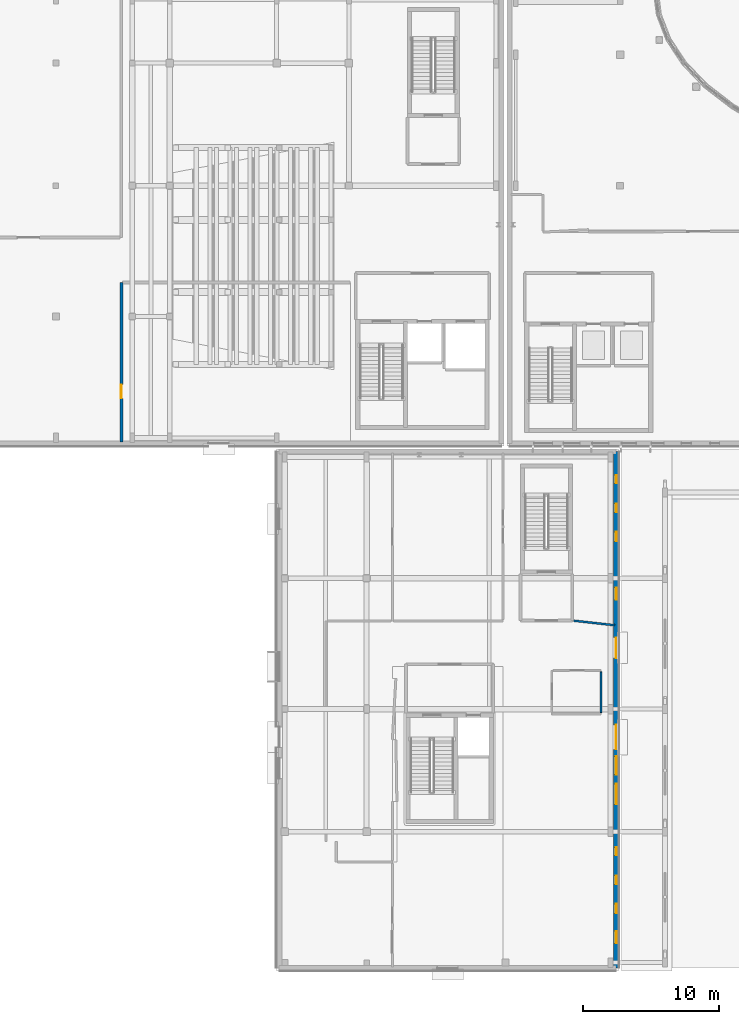
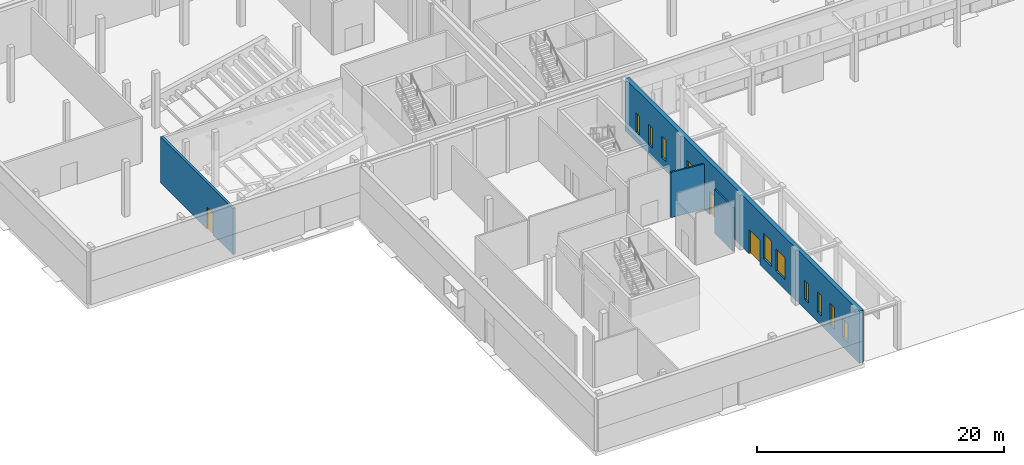
# One storey, part 39 of 84: 10 windows, 4 walls, 3 doors, 13 openings.
"""IFC4 building model written with IfcOpenShell, lengths in metres."""

from ifc_helpers import new_model, si_unit, direction, frame, frame_2d, origin, place, context, subcontext, project, spatial, rectangle, extrude, material, layer, layer_set, type_object, element, fill, save


model = new_model("IFC4")

# Units and contexts
model_context = context("Model", 3, precision=1e-05, world=origin(), true_north=direction((0.0, 1.0)))
body_context = subcontext(model_context, "Body", "Model", "MODEL_VIEW")
ifc_project = project(units=[si_unit("LENGTHUNIT", "METRE"), si_unit("AREAUNIT", "SQUARE_METRE"), si_unit("VOLUMEUNIT", "CUBIC_METRE"), si_unit("PLANEANGLEUNIT", "RADIAN"), si_unit("MASSUNIT", "GRAM", prefix="KILO")], contexts=[model_context])

# Site, building, storey
site_placement = place(None, origin())
site = spatial("IfcSite", under=ifc_project, at=site_placement, CompositionType="ELEMENT")
building_placement = place(site_placement, origin())
building = spatial("IfcBuilding", under=site, at=building_placement, Name="Mzevani Central Library", CompositionType="ELEMENT")
storey_placement = place(building_placement, origin())
storey = spatial("IfcBuildingStorey", under=building, at=storey_placement, Name="L00", CompositionType="ELEMENT", Elevation=0.0)

# Wall, opening, door
ifc_material_1 = material(Name="Concrete blockwork masonry", Category="masonry")
ifc_layer_1 = layer(ifc_material_1, 0.219970703125, Name="Acoustic Auditorium Wall 220")
ifc_layer_set_1 = layer_set([ifc_layer_1], Name="Concrete blockwork masonry")
wall_type_1 = type_object("IfcWallType", Name="Acoustic Auditorium Wall 220", PredefinedType="STANDARD", material=ifc_layer_set_1)
wall_1_placement = place(storey_placement, frame((17.800048828125, 42.7900390625, 0.0), z_axis=(0.0, 0.0, 1.0), x_axis=(0.0, 1.0, 0.0)))
wall_1 = element("IfcWall", 1, at=wall_1_placement, inside=storey, type_object=wall_type_1, Name="L00 V5 Partition IW-05 (167)", PredefinedType="STANDARD", context=body_context, shape_type="SweptSolid", body=[
    extrude(rectangle(XDim=11.717041015625, YDim=0.219970703125, at=frame_2d((5.8583984375, 0.0))), origin(), (0.0, 0.0, 1.0), 4.570068359375),
])
opening_1_placement = place(wall_1_placement, frame((3.215087890625, 0.0, 0.0)))
opening_1 = element("IfcOpeningElement", 2, at=opening_1_placement, cuts=wall_1, Name="Opening ID-04", PredefinedType="OPENING", context=body_context, shape_type="SweptSolid", body=[
    extrude(rectangle(XDim=1.0, YDim=2.14990234375, at=frame_2d((0.5, 1.074951171875))), frame((0.0, 0.1201171875, 0.0), z_axis=(0.0, -1.0, 0.0), x_axis=(1.0, 0.0, 0.0)), (0.0, 0.0, 1.0), 0.239990234375),
])
ifc_material_2 = material(Name="Fire-rated solid oak leaf")
door_type_1 = type_object("IfcDoorType", Name="Staff Office Door 1000x2150", OperationType="NOTDEFINED", PredefinedType="DOOR", material=ifc_material_2)
door_1_placement = place(opening_1_placement, origin())
door_1 = element("IfcDoor", 3, at=door_1_placement, inside=storey, type_object=door_type_1, Name="L00 Raked Civic Auditorium Door", OperationType="SINGLE_SWING_LEFT", OverallHeight=2.14990234375, OverallWidth=1.0, PredefinedType="DOOR", context=body_context, shape_type="SweptSolid", body=[
    extrude(rectangle(XDim=1.0, YDim=2.14990234375, at=frame_2d((0.5, 1.074951171875))), frame((0.0, 0.02490234375, 0.0), z_axis=(0.0, -1.0, 0.0), x_axis=(1.0, 0.0, 0.0)), (0.0, 0.0, 1.0), 0.050048828125),
])
fill(opening_1, door_1)

# Wall, openings, windows, doors
ifc_material_3 = material(Name="Precast concrete C40/50", Category="concrete")
ifc_layer_2 = layer(ifc_material_3, 0.3798828125, Name="Exterior Thermal Concrete Wall 380")
ifc_layer_set_2 = layer_set([ifc_layer_2], Name="Precast concrete C40/50")
wall_type_2 = type_object("IfcWallType", Name="Exterior Thermal Concrete Wall 380", PredefinedType="STANDARD", material=ifc_layer_set_2)
wall_2_placement = place(storey_placement, frame((54.110107421875, 42.110107421875, 0.0), z_axis=(0.0, 0.0, 1.0), x_axis=(0.0, -1.0, 0.0)))
wall_2 = element("IfcWall", 4, at=wall_2_placement, inside=storey, type_object=wall_type_2, Name="L00 V4 Exterior Thermal Wall (75)", PredefinedType="STANDARD", context=body_context, shape_type="SweptSolid", body=[
    extrude(rectangle(XDim=37.920166015625, YDim=0.3798828125, at=frame_2d((18.9599609375, 0.0))), origin(), (0.0, 0.0, 1.0), 5.139892578125),
])
opening_2_placement = place(wall_2_placement, frame((13.6689453125, 0.0, 0.0)))
opening_2 = element("IfcOpeningElement", 5, at=opening_2_placement, cuts=wall_2, Name="Opening ED-01", PredefinedType="OPENING", context=body_context, shape_type="SweptSolid", body=[
    extrude(rectangle(XDim=1.5, YDim=2.300048828125, at=frame_2d((0.75, 1.14990234375))), frame((0.0, 0.199951171875, 0.0), z_axis=(0.0, -1.0, 0.0), x_axis=(1.0, 0.0, 0.0)), (0.0, 0.0, 1.0), 0.39990234375),
])
opening_3_placement = place(wall_2_placement, frame((20.06005859375, 0.0, 0.0)))
opening_3 = element("IfcOpeningElement", 6, at=opening_3_placement, cuts=wall_2, Name="Opening ED-03", PredefinedType="OPENING", context=body_context, shape_type="SweptSolid", body=[
    extrude(rectangle(XDim=1.800048828125, YDim=2.39990234375, at=frame_2d((0.89990234375, 1.199951171875))), frame((0.0, 0.199951171875, 0.0), z_axis=(0.0, -1.0, 0.0), x_axis=(1.0, 0.0, 0.0)), (0.0, 0.0, 1.0), 0.39990234375),
])
opening_4_placement = place(wall_2_placement, frame((1.75, 0.0, 0.949951171875)))
opening_4 = element("IfcOpeningElement", 7, at=opening_4_placement, cuts=wall_2, Name="Opening WS-03", PredefinedType="OPENING", context=body_context, shape_type="SweptSolid", body=[
    extrude(rectangle(XDim=0.60009765625, YDim=1.89990234375, at=frame_2d((0.300048828125, 0.949951171875))), frame((0.0, 0.199951171875, 0.0), z_axis=(0.0, -1.0, 0.0), x_axis=(1.0, 0.0, 0.0)), (0.0, 0.0, 1.0), 0.39990234375),
])
opening_5_placement = place(wall_2_placement, frame((3.824951171875, 0.0, 0.949951171875)))
opening_5 = element("IfcOpeningElement", 8, at=opening_5_placement, cuts=wall_2, Name="Opening WS-05", PredefinedType="OPENING", context=body_context, shape_type="SweptSolid", body=[
    extrude(rectangle(XDim=0.64990234375, YDim=2.0, at=frame_2d((0.324951171875, 1.0))), frame((0.0, 0.199951171875, 0.0), z_axis=(0.0, -1.0, 0.0), x_axis=(1.0, 0.0, 0.0)), (0.0, 0.0, 1.0), 0.39990234375),
])
opening_6_placement = place(wall_2_placement, frame((5.89990234375, 0.0, 0.949951171875)))
opening_6 = element("IfcOpeningElement", 9, at=opening_6_placement, cuts=wall_2, Name="Opening WS-07", PredefinedType="OPENING", context=body_context, shape_type="SweptSolid", body=[
    extrude(rectangle(XDim=0.699951171875, YDim=2.10009765625, at=frame_2d((0.35009765625, 1.050048828125))), frame((0.0, 0.199951171875, 0.0), z_axis=(0.0, -1.0, 0.0), x_axis=(1.0, 0.0, 0.0)), (0.0, 0.0, 1.0), 0.39990234375),
])
opening_7_placement = place(wall_2_placement, frame((10.0, 0.0, 0.949951171875)))
opening_7 = element("IfcOpeningElement", 10, at=opening_7_placement, cuts=wall_2, Name="Opening W-02", PredefinedType="OPENING", context=body_context, shape_type="SweptSolid", body=[
    extrude(rectangle(XDim=0.89990234375, YDim=2.199951171875, at=frame_2d((0.449951171875, 1.10009765625))), frame((0.0, 0.199951171875, 0.0), z_axis=(0.0, -1.0, 0.0), x_axis=(1.0, 0.0, 0.0)), (0.0, 0.0, 1.0), 0.39990234375),
])
opening_8_placement = place(wall_2_placement, frame((22.375, 0.0, 0.949951171875)))
opening_8 = element("IfcOpeningElement", 11, at=opening_8_placement, cuts=wall_2, Name="Opening W-09", PredefinedType="OPENING", context=body_context, shape_type="SweptSolid", body=[
    extrude(rectangle(XDim=1.35009765625, YDim=2.5, at=frame_2d((0.675048828125, 1.25))), frame((0.0, 0.199951171875, 0.0), z_axis=(0.0, -1.0, 0.0), x_axis=(1.0, 0.0, 0.0)), (0.0, 0.0, 1.0), 0.39990234375),
])
opening_9_placement = place(wall_2_placement, frame((24.39990234375, 0.0, 0.949951171875)))
opening_9 = element("IfcOpeningElement", 12, at=opening_9_placement, cuts=wall_2, Name="Opening W-11", PredefinedType="OPENING", context=body_context, shape_type="SweptSolid", body=[
    extrude(rectangle(XDim=1.5, YDim=2.199951171875, at=frame_2d((0.75, 1.10009765625))), frame((0.0, 0.199951171875, 0.0), z_axis=(0.0, -1.0, 0.0), x_axis=(1.0, 0.0, 0.0)), (0.0, 0.0, 1.0), 0.39990234375),
])
opening_10_placement = place(wall_2_placement, frame((29.050048828125, 0.0, 0.949951171875)))
opening_10 = element("IfcOpeningElement", 13, at=opening_10_placement, cuts=wall_2, Name="Opening WS-03", PredefinedType="OPENING", context=body_context, shape_type="SweptSolid", body=[
    extrude(rectangle(XDim=0.60009765625, YDim=1.89990234375, at=frame_2d((0.300048828125, 0.949951171875))), frame((0.0, 0.199951171875, 0.0), z_axis=(0.0, -1.0, 0.0), x_axis=(1.0, 0.0, 0.0)), (0.0, 0.0, 1.0), 0.39990234375),
])
opening_11_placement = place(wall_2_placement, frame((31.125, 0.0, 0.949951171875)))
opening_11 = element("IfcOpeningElement", 14, at=opening_11_placement, cuts=wall_2, Name="Opening WS-05", PredefinedType="OPENING", context=body_context, shape_type="SweptSolid", body=[
    extrude(rectangle(XDim=0.64990234375, YDim=2.0, at=frame_2d((0.324951171875, 1.0))), frame((0.0, 0.199951171875, 0.0), z_axis=(0.0, -1.0, 0.0), x_axis=(1.0, 0.0, 0.0)), (0.0, 0.0, 1.0), 0.39990234375),
])
opening_12_placement = place(wall_2_placement, frame((33.199951171875, 0.0, 0.949951171875)))
opening_12 = element("IfcOpeningElement", 15, at=opening_12_placement, cuts=wall_2, Name="Opening WS-07", PredefinedType="OPENING", context=body_context, shape_type="SweptSolid", body=[
    extrude(rectangle(XDim=0.699951171875, YDim=2.10009765625, at=frame_2d((0.35009765625, 1.050048828125))), frame((0.0, 0.199951171875, 0.0), z_axis=(0.0, -1.0, 0.0), x_axis=(1.0, 0.0, 0.0)), (0.0, 0.0, 1.0), 0.39990234375),
])
opening_13_placement = place(wall_2_placement, frame((35.199951171875, 0.0, 0.949951171875)))
opening_13 = element("IfcOpeningElement", 16, at=opening_13_placement, cuts=wall_2, Name="Opening W-01", PredefinedType="OPENING", context=body_context, shape_type="SweptSolid", body=[
    extrude(rectangle(XDim=0.89990234375, YDim=1.800048828125, at=frame_2d((0.449951171875, 0.89990234375))), frame((0.0, 0.199951171875, 0.0), z_axis=(0.0, -1.0, 0.0), x_axis=(1.0, 0.0, 0.0)), (0.0, 0.0, 1.0), 0.39990234375),
])
ifc_material_4 = material(Name="Low-E triple glazing glass", Category="glass")
window_type_1 = type_object("IfcWindowType", Name="Archive Slot Window 600x1900", PartitioningType="SINGLE_PANEL", PredefinedType="WINDOW", material=ifc_material_4)
window_1_placement = place(opening_4_placement, origin())
window_1 = element("IfcWindow", 17, at=window_1_placement, inside=storey, type_object=window_type_1, Name="L00 V4 Courtyard/Colonnade Window WS-03 (136)", OverallHeight=1.89990234375, OverallWidth=0.60009765625, PartitioningType="SINGLE_PANEL", PredefinedType="WINDOW", context=body_context, shape_type="SweptSolid", body=[
    extrude(rectangle(XDim=0.60009765625, YDim=1.89990234375, at=frame_2d((0.300048828125, 0.949951171875))), frame((0.0, 0.030029296875, 0.0), z_axis=(0.0, -1.0, 0.0), x_axis=(1.0, 0.0, 0.0)), (0.0, 0.0, 1.0), 0.06005859375),
])
fill(opening_4, window_1)
window_2_placement = place(opening_10_placement, origin())
window_2 = element("IfcWindow", 18, at=window_2_placement, inside=storey, type_object=window_type_1, Name="L00 V4 Courtyard/Colonnade Window WS-03 (142)", OverallHeight=1.89990234375, OverallWidth=0.60009765625, PartitioningType="SINGLE_PANEL", PredefinedType="WINDOW", context=body_context, shape_type="SweptSolid", body=[
    extrude(rectangle(XDim=0.60009765625, YDim=1.89990234375, at=frame_2d((0.300048828125, 0.949951171875))), frame((0.0, 0.030029296875, 0.0), z_axis=(0.0, -1.0, 0.0), x_axis=(1.0, 0.0, 0.0)), (0.0, 0.0, 1.0), 0.06005859375),
])
fill(opening_10, window_2)
window_type_2 = type_object("IfcWindowType", Name="Archive Slot Window 650x2000", PartitioningType="SINGLE_PANEL", PredefinedType="WINDOW", material=ifc_material_4)
window_3_placement = place(opening_5_placement, origin())
window_3 = element("IfcWindow", 19, at=window_3_placement, inside=storey, type_object=window_type_2, Name="L00 V4 Courtyard/Colonnade Window WS-05 (137)", OverallHeight=2.0, OverallWidth=0.64990234375, PartitioningType="SINGLE_PANEL", PredefinedType="WINDOW", context=body_context, shape_type="SweptSolid", body=[
    extrude(rectangle(XDim=0.64990234375, YDim=2.0, at=frame_2d((0.324951171875, 1.0))), frame((0.0, 0.030029296875, 0.0), z_axis=(0.0, -1.0, 0.0), x_axis=(1.0, 0.0, 0.0)), (0.0, 0.0, 1.0), 0.06005859375),
])
fill(opening_5, window_3)
window_4_placement = place(opening_11_placement, origin())
window_4 = element("IfcWindow", 20, at=window_4_placement, inside=storey, type_object=window_type_2, Name="L00 V4 Courtyard/Colonnade Window WS-05 (143)", OverallHeight=2.0, OverallWidth=0.64990234375, PartitioningType="SINGLE_PANEL", PredefinedType="WINDOW", context=body_context, shape_type="SweptSolid", body=[
    extrude(rectangle(XDim=0.64990234375, YDim=2.0, at=frame_2d((0.324951171875, 1.0))), frame((0.0, 0.030029296875, 0.0), z_axis=(0.0, -1.0, 0.0), x_axis=(1.0, 0.0, 0.0)), (0.0, 0.0, 1.0), 0.06005859375),
])
fill(opening_11, window_4)
window_type_3 = type_object("IfcWindowType", Name="Archive Slot Window 700x2100", PartitioningType="SINGLE_PANEL", PredefinedType="WINDOW", material=ifc_material_4)
window_5_placement = place(opening_6_placement, origin())
window_5 = element("IfcWindow", 21, at=window_5_placement, inside=storey, type_object=window_type_3, Name="L00 V4 Courtyard/Colonnade Window WS-07 (138)", OverallHeight=2.10009765625, OverallWidth=0.699951171875, PartitioningType="SINGLE_PANEL", PredefinedType="WINDOW", context=body_context, shape_type="SweptSolid", body=[
    extrude(rectangle(XDim=0.699951171875, YDim=2.10009765625, at=frame_2d((0.35009765625, 1.050048828125))), frame((0.0, 0.030029296875, 0.0), z_axis=(0.0, -1.0, 0.0), x_axis=(1.0, 0.0, 0.0)), (0.0, 0.0, 1.0), 0.06005859375),
])
fill(opening_6, window_5)
window_6_placement = place(opening_12_placement, origin())
window_6 = element("IfcWindow", 22, at=window_6_placement, inside=storey, type_object=window_type_3, Name="L00 V4 Courtyard/Colonnade Window WS-07 (144)", OverallHeight=2.10009765625, OverallWidth=0.699951171875, PartitioningType="SINGLE_PANEL", PredefinedType="WINDOW", context=body_context, shape_type="SweptSolid", body=[
    extrude(rectangle(XDim=0.699951171875, YDim=2.10009765625, at=frame_2d((0.35009765625, 1.050048828125))), frame((0.0, 0.030029296875, 0.0), z_axis=(0.0, -1.0, 0.0), x_axis=(1.0, 0.0, 0.0)), (0.0, 0.0, 1.0), 0.06005859375),
])
fill(opening_12, window_6)
window_type_4 = type_object("IfcWindowType", Name="Deep Reveal Window 1350x2500", PartitioningType="SINGLE_PANEL", PredefinedType="WINDOW", material=ifc_material_4)
window_7_placement = place(opening_8_placement, origin())
window_7 = element("IfcWindow", 23, at=window_7_placement, inside=storey, type_object=window_type_4, Name="L00 V4 Courtyard/Colonnade Window W-09 (140)", OverallHeight=2.5, OverallWidth=1.35009765625, PartitioningType="SINGLE_PANEL", PredefinedType="WINDOW", context=body_context, shape_type="SweptSolid", body=[
    extrude(rectangle(XDim=1.35009765625, YDim=2.5, at=frame_2d((0.675048828125, 1.25))), frame((0.0, 0.030029296875, 0.0), z_axis=(0.0, -1.0, 0.0), x_axis=(1.0, 0.0, 0.0)), (0.0, 0.0, 1.0), 0.06005859375),
])
fill(opening_8, window_7)
window_type_5 = type_object("IfcWindowType", Name="Deep Reveal Window 1500x2200", PartitioningType="SINGLE_PANEL", PredefinedType="WINDOW", material=ifc_material_4)
window_8_placement = place(opening_9_placement, origin())
window_8 = element("IfcWindow", 24, at=window_8_placement, inside=storey, type_object=window_type_5, Name="L00 V4 Courtyard/Colonnade Window W-11 (141)", OverallHeight=2.199951171875, OverallWidth=1.5, PartitioningType="SINGLE_PANEL", PredefinedType="WINDOW", context=body_context, shape_type="SweptSolid", body=[
    extrude(rectangle(XDim=1.5, YDim=2.199951171875, at=frame_2d((0.75, 1.10009765625))), frame((0.0, 0.030029296875, 0.0), z_axis=(0.0, -1.0, 0.0), x_axis=(1.0, 0.0, 0.0)), (0.0, 0.0, 1.0), 0.06005859375),
])
fill(opening_9, window_8)
window_type_6 = type_object("IfcWindowType", Name="Deep Reveal Window 900x1800", PartitioningType="SINGLE_PANEL", PredefinedType="WINDOW", material=ifc_material_4)
window_9_placement = place(opening_13_placement, origin())
window_9 = element("IfcWindow", 25, at=window_9_placement, inside=storey, type_object=window_type_6, Name="L00 V4 Courtyard/Colonnade Window W-01 (145)", OverallHeight=1.800048828125, OverallWidth=0.89990234375, PartitioningType="SINGLE_PANEL", PredefinedType="WINDOW", context=body_context, shape_type="SweptSolid", body=[
    extrude(rectangle(XDim=0.89990234375, YDim=1.800048828125, at=frame_2d((0.449951171875, 0.89990234375))), frame((0.0, 0.030029296875, 0.0), z_axis=(0.0, -1.0, 0.0), x_axis=(1.0, 0.0, 0.0)), (0.0, 0.0, 1.0), 0.06005859375),
])
fill(opening_13, window_9)
window_type_7 = type_object("IfcWindowType", Name="Deep Reveal Window 900x2200", PartitioningType="SINGLE_PANEL", PredefinedType="WINDOW", material=ifc_material_4)
window_10_placement = place(opening_7_placement, origin())
window_10 = element("IfcWindow", 26, at=window_10_placement, inside=storey, type_object=window_type_7, Name="L00 V4 Courtyard/Colonnade Window W-02 (139)", OverallHeight=2.199951171875, OverallWidth=0.89990234375, PartitioningType="SINGLE_PANEL", PredefinedType="WINDOW", context=body_context, shape_type="SweptSolid", body=[
    extrude(rectangle(XDim=0.89990234375, YDim=2.199951171875, at=frame_2d((0.449951171875, 1.10009765625))), frame((0.0, 0.030029296875, 0.0), z_axis=(0.0, -1.0, 0.0), x_axis=(1.0, 0.0, 0.0)), (0.0, 0.0, 1.0), 0.06005859375),
])
fill(opening_7, window_10)
ifc_material_5 = material(Name="Anodized architectural bronze")
door_type_2 = type_object("IfcDoorType", Name="Exterior Final Exit Door 1500x2300", OperationType="NOTDEFINED", PredefinedType="DOOR", material=ifc_material_5)
door_2_placement = place(opening_2_placement, origin())
door_2 = element("IfcDoor", 27, at=door_2_placement, inside=storey, type_object=door_type_2, Name="L00 V4 Protected Exit Corridor Final Discharge Door", OperationType="SINGLE_SWING_RIGHT", OverallHeight=2.300048828125, OverallWidth=1.5, PredefinedType="DOOR", context=body_context, shape_type="SweptSolid", body=[
    extrude(rectangle(XDim=1.5, YDim=2.300048828125, at=frame_2d((0.75, 1.14990234375))), frame((0.0, 0.02490234375, 0.0), z_axis=(0.0, -1.0, 0.0), x_axis=(1.0, 0.0, 0.0)), (0.0, 0.0, 1.0), 0.050048828125),
])
fill(opening_2, door_2)
door_type_3 = type_object("IfcDoorType", Name="Square Cafe Entrance Door 1800x2400", OperationType="NOTDEFINED", PredefinedType="DOOR", material=ifc_material_5)
door_3_placement = place(opening_3_placement, origin())
door_3 = element("IfcDoor", 28, at=door_3_placement, inside=storey, type_object=door_type_3, Name="L00 V4 Exterior Entrance / Exit Door (28)", OperationType="SINGLE_SWING_LEFT", OverallHeight=2.39990234375, OverallWidth=1.800048828125, PredefinedType="DOOR", context=body_context, shape_type="SweptSolid", body=[
    extrude(rectangle(XDim=1.800048828125, YDim=2.39990234375, at=frame_2d((0.89990234375, 1.199951171875))), frame((0.0, 0.02490234375, 0.0), z_axis=(0.0, -1.0, 0.0), x_axis=(1.0, 0.0, 0.0)), (0.0, 0.0, 1.0), 0.050048828125),
])
fill(opening_3, door_3)

# Walls
ifc_material_6 = material(Name="Fire-rated gypsum board", Category="gypsum")
ifc_layer_3 = layer(ifc_material_6, 0.1201171875, Name="Partition Acoustic 120")
ifc_layer_set_3 = layer_set([ifc_layer_3], Name="Fire-rated gypsum board")
wall_type_3 = type_object("IfcWallType", Name="Partition Acoustic 120", PredefinedType="PARTITIONING", material=ifc_layer_set_3)
wall_3_placement = place(storey_placement, frame((52.998291015625, 25.94091796875, 0.0), z_axis=(0.0, 0.0, 1.0), x_axis=(0.0, -1.0, 0.0)))
element("IfcWall", 29, at=wall_3_placement, inside=storey, type_object=wall_type_3, Name="L00 V4 Partition IW-02 (152)", PredefinedType="PARTITIONING", context=body_context, shape_type="SweptSolid", body=[
    extrude(rectangle(XDim=3.0, YDim=0.1201171875, at=frame_2d((1.5, 0.0))), origin(), (0.0, 0.0, 1.0), 4.3701171875),
])
ifc_layer_4 = layer(ifc_material_6, 0.14990234375, Name="Partition Study 150")
ifc_layer_set_4 = layer_set([ifc_layer_4], Name="Fire-rated gypsum board")
wall_type_4 = type_object("IfcWallType", Name="Partition Study 150", PredefinedType="PARTITIONING", material=ifc_layer_set_4)
wall_4_placement = place(storey_placement, frame((54.010498046875, 29.35205078125, 0.0), z_axis=(0.0, 0.0, 1.0), x_axis=(-0.993797943002, 0.111200937431, 0.0)))
element("IfcWall", 30, at=wall_4_placement, inside=storey, type_object=wall_type_4, Name="L00 V4 Partition IW-03 (164)", PredefinedType="PARTITIONING", context=body_context, shape_type="SweptSolid", body=[
    extrude(rectangle(XDim=3.02978515625, YDim=0.14990234375, at=frame_2d((1.514892578125, 0.0))), origin(), (0.0, 0.0, 1.0), 4.469970703125),
])

save(model, "model.ifc")
